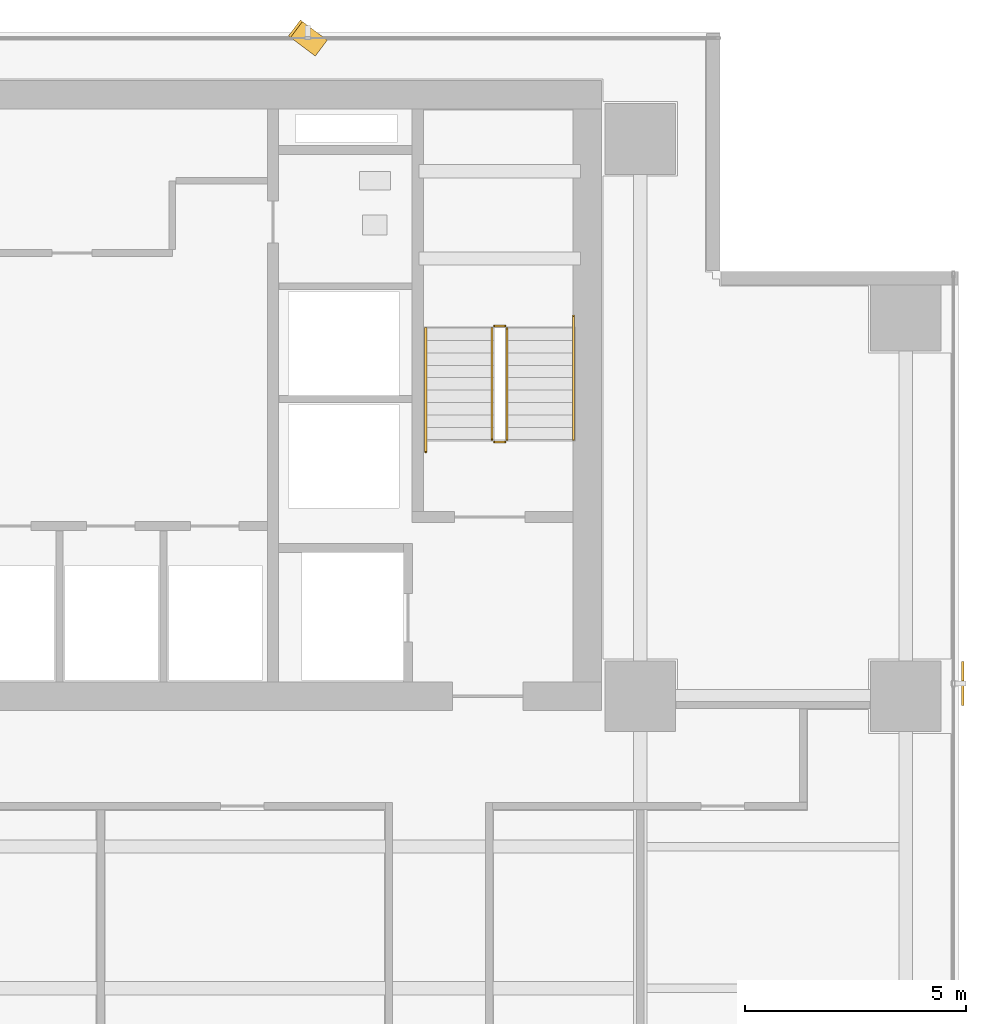
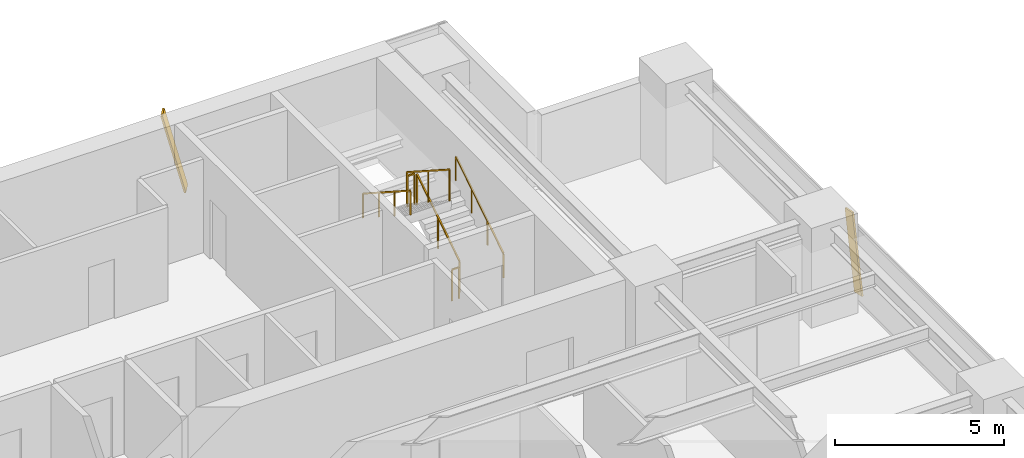
# One storey, part 26 of 27: 6 railings, 2 shading devices.
"""IFC4 building model written with IfcOpenShell, lengths in metres."""

from ifc_helpers import new_model, si_unit, direction, frame, origin, origin_2d, place, context, subcontext, project, spatial, rectangle, extrude, source, transform, mapped, material, material_profile, profile_set, type_object, element, save


model = new_model("IFC4")

# Units and contexts
model_context = context("Model", 3, precision=1e-05, world=origin(), true_north=direction((0.0, 1.0)))
body_context = subcontext(model_context, "Body", "Model", "MODEL_VIEW")
ifc_project = project(units=[si_unit("LENGTHUNIT", "METRE"), si_unit("AREAUNIT", "SQUARE_METRE"), si_unit("VOLUMEUNIT", "CUBIC_METRE"), si_unit("PLANEANGLEUNIT", "RADIAN"), si_unit("MASSUNIT", "GRAM", prefix="KILO")], contexts=[model_context])

# Site, building, storey
site_placement = place(None, origin())
site = spatial("IfcSite", under=ifc_project, at=site_placement, CompositionType="ELEMENT")
building_placement = place(site_placement, origin())
building = spatial("IfcBuilding", under=site, at=building_placement, Name="Sumidabori Civic Tower", CompositionType="ELEMENT")
storey_placement = place(building_placement, frame((0.0, 0.0, 160.39990234375)))
storey = spatial("IfcBuildingStorey", under=building, at=storey_placement, Name="L41", CompositionType="ELEMENT", Elevation=160.39990234375)

# Railings
ifc_material_1 = material(Name="Stainless Steel Hairline Finish", Category="steel")
railing_type_1 = type_object("IfcRailingType", Name="RL-HANDRAIL", PredefinedType="HANDRAIL", material=ifc_material_1)
railing_1_placement = place(storey_placement, frame((15.2900390625, 16.0, 0.18017578125)))
element("IfcRailing", 1, at=railing_1_placement, inside=storey, type_object=railing_type_1, Name="L41 ST-2 stair handrail 1", PredefinedType="HANDRAIL", context=body_context, shape_type="SweptSolid", body=[
    extrude(rectangle(XDim=0.048095703125, YDim=0.048095703125, at=origin_2d()), frame((0.0, 0.0, 0.8759765625), z_axis=(0.0, 0.840675598268, 0.541539046124), x_axis=(-1.0, 0.0, 0.0)), (0.0, 0.0, 1.0), 3.330810546875),
    extrude(rectangle(XDim=0.0419921875, YDim=0.0419921875, at=origin_2d()), origin(), (0.0, 0.0, 1.0), 0.851806640625),
    extrude(rectangle(XDim=0.0419921875, YDim=0.0419921875, at=origin_2d()), frame((0.0, 0.933349609375, 0.601318359375)), (0.0, 0.0, 1.0), 0.851806640625),
    extrude(rectangle(XDim=0.0419921875, YDim=0.0419921875, at=origin_2d()), frame((0.0, 1.86669921875, 1.202392578125)), (0.0, 0.0, 1.0), 0.851806640625),
    extrude(rectangle(XDim=0.0419921875, YDim=0.0419921875, at=origin_2d()), frame((0.0, 2.800048828125, 1.8037109375)), (0.0, 0.0, 1.0), 0.851806640625),
])
railing_2_placement = place(storey_placement, frame((11.949951171875, 18.52001953125, 1.97998046875)))
element("IfcRailing", 2, at=railing_2_placement, inside=storey, type_object=railing_type_1, Name="L41 ST-2 stair handrail 2", PredefinedType="HANDRAIL", context=body_context, shape_type="SweptSolid", body=[
    extrude(rectangle(XDim=0.048095703125, YDim=0.048095703125, at=origin_2d()), frame((0.0, 0.0, 0.8759765625), z_axis=(0.0, -0.84064222762, 0.54159084662), x_axis=(1.0, 0.0, 0.0)), (0.0, 0.0, 1.0), 3.330810546875),
    extrude(rectangle(XDim=0.0419921875, YDim=0.0419921875, at=origin_2d()), origin(), (0.0, 0.0, 1.0), 0.851806640625),
    extrude(rectangle(XDim=0.0419921875, YDim=0.0419921875, at=origin_2d()), frame((0.0, -0.933349609375, 0.601318359375)), (0.0, 0.0, 1.0), 0.851806640625),
    extrude(rectangle(XDim=0.0419921875, YDim=0.0419921875, at=origin_2d()), frame((0.0, -1.86669921875, 1.20263671875)), (0.0, 0.0, 1.0), 0.851806640625),
    extrude(rectangle(XDim=0.0419921875, YDim=0.0419921875, at=origin_2d()), frame((0.0, -2.800048828125, 1.803955078125)), (0.0, 0.0, 1.0), 0.851806640625),
])
ifc_material_2 = material(Name="Steel SN490", Category="steel")
railing_type_2 = type_object("IfcRailingType", Name="RL-STAIR-GUARD", PredefinedType="GUARDRAIL", material=ifc_material_2)
railing_3_placement = place(storey_placement, frame((13.7900390625, 16.0, 0.18017578125)))
element("IfcRailing", 3, at=railing_3_placement, inside=storey, type_object=railing_type_2, Name="L41 ST-2 stair guard 1", PredefinedType="GUARDRAIL", context=body_context, shape_type="SweptSolid", body=[
    extrude(rectangle(XDim=0.048095703125, YDim=0.048095703125, at=origin_2d()), frame((0.0, 0.0, 1.1259765625), z_axis=(0.0, 0.841199657755, 0.540724639528), x_axis=(-1.0, 0.0, 0.0)), (0.0, 0.0, 1.0), 2.995849609375),
    extrude(rectangle(XDim=0.0419921875, YDim=0.0419921875, at=origin_2d()), origin(), (0.0, 0.0, 1.0), 1.101806640625),
    extrude(rectangle(XDim=0.0419921875, YDim=0.0419921875, at=origin_2d()), frame((0.0, 1.260009765625, 0.81005859375)), (0.0, 0.0, 1.0), 1.101806640625),
    extrude(rectangle(XDim=0.0419921875, YDim=0.0419921875, at=origin_2d()), frame((0.0, 2.52001953125, 1.619873046875)), (0.0, 0.0, 1.0), 1.101806640625),
])
railing_4_placement = place(storey_placement, frame((13.739990234375, 18.570068359375, 1.800048828125)))
element("IfcRailing", 4, at=railing_4_placement, inside=storey, type_object=railing_type_2, Name="L41 ST-2 stair guard 2", PredefinedType="GUARDRAIL", context=body_context, shape_type="SweptSolid", body=[
    extrude(rectangle(XDim=0.048095703125, YDim=0.048095703125, at=origin_2d()), frame((0.0, 0.0, 1.1259765625), z_axis=(-1.0, 0.0, 0.0), x_axis=(0.0, -1.0, 0.0)), (0.0, 0.0, 1.0), 0.239990234375),
    extrude(rectangle(XDim=0.0419921875, YDim=0.0419921875, at=origin_2d()), origin(), (0.0, 0.0, 1.0), 1.101806640625),
    extrude(rectangle(XDim=0.0419921875, YDim=0.0419921875, at=origin_2d()), frame((-0.239990234375, 0.0, 0.0)), (0.0, 0.0, 1.0), 1.101806640625),
])
railing_5_placement = place(storey_placement, frame((13.449951171875, 18.52001953125, 1.97998046875)))
element("IfcRailing", 5, at=railing_5_placement, inside=storey, type_object=railing_type_2, Name="L41 ST-2 stair guard 3", PredefinedType="GUARDRAIL", context=body_context, shape_type="SweptSolid", body=[
    extrude(rectangle(XDim=0.048095703125, YDim=0.048095703125, at=origin_2d()), frame((0.0, 0.0, 1.1259765625), z_axis=(0.0, -0.841162588446, 0.540782303519), x_axis=(1.0, 0.0, 0.0)), (0.0, 0.0, 1.0), 2.995849609375),
    extrude(rectangle(XDim=0.0419921875, YDim=0.0419921875, at=origin_2d()), origin(), (0.0, 0.0, 1.0), 1.101806640625),
    extrude(rectangle(XDim=0.0419921875, YDim=0.0419921875, at=origin_2d()), frame((0.0, -1.260009765625, 0.81005859375)), (0.0, 0.0, 1.0), 1.101806640625),
    extrude(rectangle(XDim=0.0419921875, YDim=0.0419921875, at=origin_2d()), frame((0.0, -2.52001953125, 1.6201171875)), (0.0, 0.0, 1.0), 1.101806640625),
])
railing_6_placement = place(storey_placement, frame((13.739990234375, 15.949951171875, 0.0)))
element("IfcRailing", 6, at=railing_6_placement, inside=storey, type_object=railing_type_2, Name="L41 ST-2 stair guard 4", PredefinedType="GUARDRAIL", context=body_context, shape_type="SweptSolid", body=[
    extrude(rectangle(XDim=0.048095703125, YDim=0.048095703125, at=origin_2d()), frame((0.0, 0.0, 1.1259765625), z_axis=(-1.0, 0.0, 0.0), x_axis=(0.0, -1.0, 0.0)), (0.0, 0.0, 1.0), 0.239990234375),
    extrude(rectangle(XDim=0.0419921875, YDim=0.0419921875, at=origin_2d()), origin(), (0.0, 0.0, 1.0), 1.101806640625),
    extrude(rectangle(XDim=0.0419921875, YDim=0.0419921875, at=origin_2d()), frame((-0.239990234375, 0.0, 0.0)), (0.0, 0.0, 1.0), 1.101806640625),
])

# Shading devices
ifc_material_3 = material(Name="Anodised Bronze Aluminium AW-6063-T6", Category="aluminium")
ifc_material_profile = material_profile(ifc_material_3, rectangle(XDim=0.06005859375, YDim=0.449951171875, at=origin_2d()), Name="BRONZE FIN 450x60")
ifc_profile_set = profile_set([ifc_material_profile], Name="Anodised Bronze Aluminium AW-6063-T6")
shading_device_type = type_object("IfcShadingDeviceType", Name="SH-FIN-450", PredefinedType="USERDEFINED", material=ifc_profile_set)
shared_shape_1 = source(origin(), body_context, "Body", "SweptSolid", [
    extrude(rectangle(XDim=0.06005859375, YDim=0.449951171875, at=origin_2d()), origin(), (0.0, 0.0, 1.0), 2.78955078125),
])
shading_device_1_placement = place(storey_placement, frame((9.56494140625, 24.8701171875, 0.02001953125), z_axis=(-0.20077712468, 0.150539082149, 0.968001307308), x_axis=(0.774482065205, -0.580692742874, 0.250945151476)))
element("IfcShadingDevice", 7, at=shading_device_1_placement, inside=storey, type_object=shading_device_type, Name="Bronze Anodised Diagonal Fin L41-01", ObjectType="FIN", PredefinedType="USERDEFINED", context=body_context, shape_type="MappedRepresentation", body=[
    mapped(shared_shape_1, transform((0.0, 0.0, 0.0), x_axis=(1.0, 0.0, 0.0), y_axis=(0.0, 1.0, 0.0), z_axis=(0.0, 0.0, 1.0), scale=1.0)),
])
shared_shape_2 = source(origin(), body_context, "Body", "SweptSolid", [
    extrude(rectangle(XDim=0.06005859375, YDim=0.449951171875, at=origin_2d()), origin(), (0.0, 0.0, 1.0), 2.757568359375),
])
shading_device_2_placement = place(storey_placement, frame((24.090087890625, 10.205078125, 0.02001953125), z_axis=(0.0, 0.203006661687, 0.979177356412), x_axis=(-1.0, 0.0, 0.0)))
element("IfcShadingDevice", 8, at=shading_device_2_placement, inside=storey, type_object=shading_device_type, Name="Bronze Anodised Diagonal Fin L41-03", ObjectType="FIN", PredefinedType="USERDEFINED", context=body_context, shape_type="MappedRepresentation", body=[
    mapped(shared_shape_2, transform((0.0, 0.0, 0.0), x_axis=(1.0, 0.0, 0.0), y_axis=(0.0, 1.0, 0.0), z_axis=(0.0, 0.0, 1.0), scale=1.0)),
])

save(model, "model.ifc")
